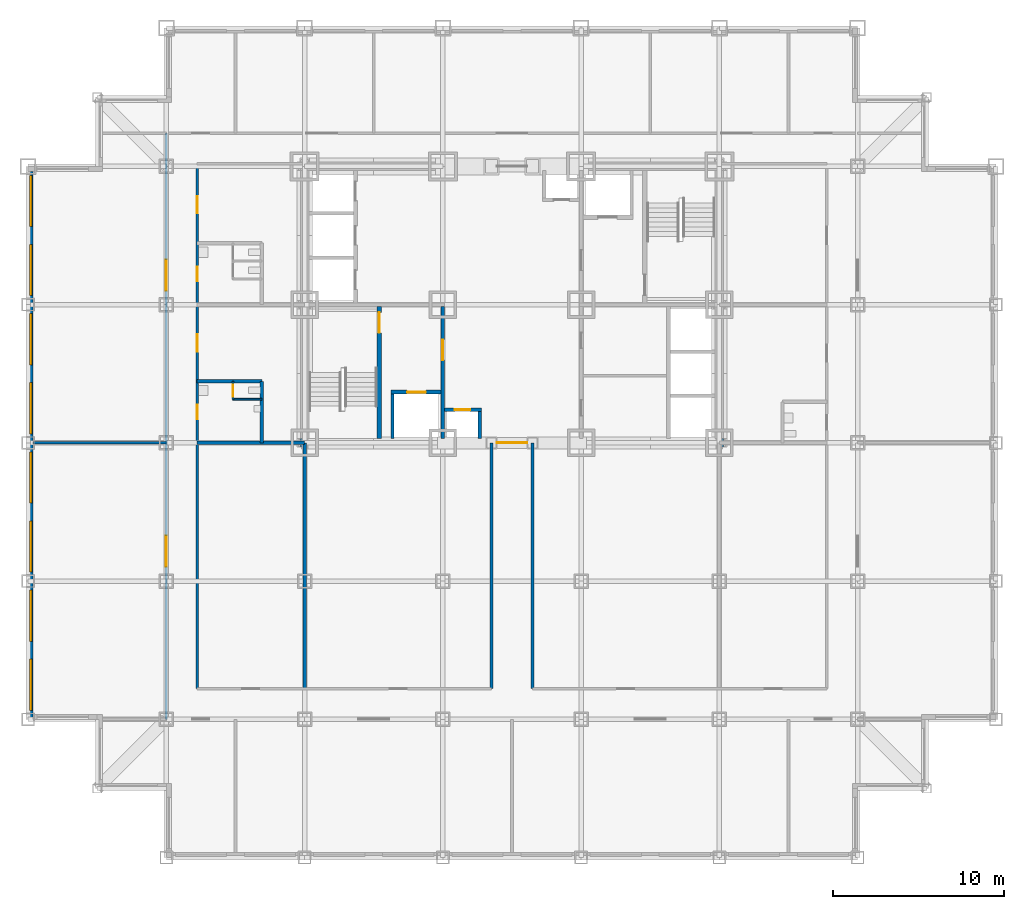
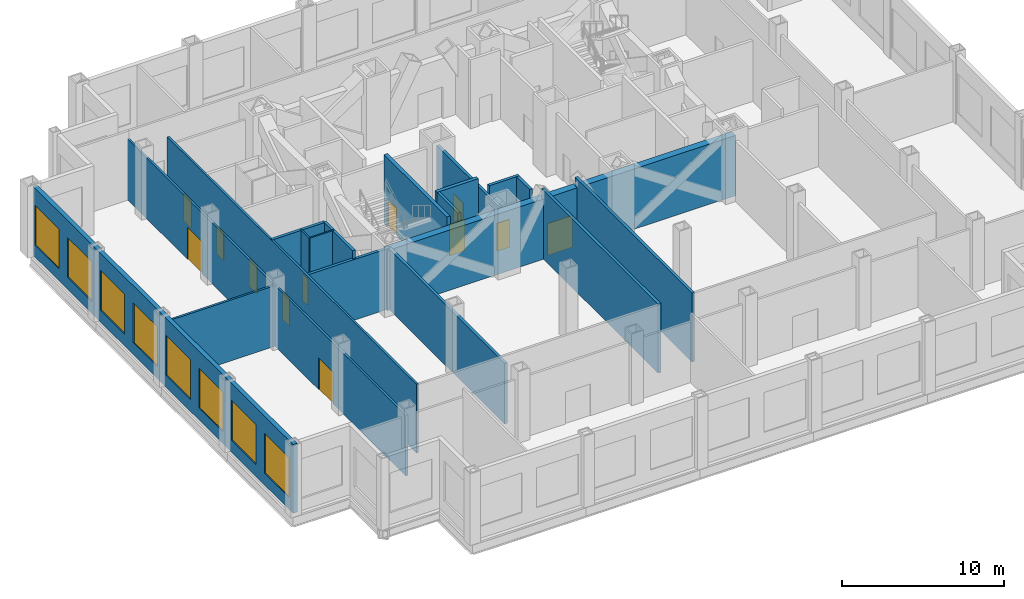
# One storey, part 4 of 10: 19 walls, 12 doors, 8 windows, 20 openings.
"""IFC4 building model written with IfcOpenShell, lengths in metres."""

from ifc_helpers import new_model, si_unit, direction, frame, frame_2d, origin, place, context, subcontext, project, spatial, rectangle, extrude, material, layer, layer_set, type_object, element, fill, save


model = new_model("IFC4")

# Units and contexts
model_context = context("Model", 3, precision=1e-05, world=origin(), true_north=direction((0.0, 1.0)))
body_context = subcontext(model_context, "Body", "Model", "MODEL_VIEW")
ifc_project = project(units=[si_unit("LENGTHUNIT", "METRE"), si_unit("AREAUNIT", "SQUARE_METRE"), si_unit("VOLUMEUNIT", "CUBIC_METRE"), si_unit("PLANEANGLEUNIT", "RADIAN"), si_unit("MASSUNIT", "GRAM", prefix="KILO")], contexts=[model_context])

# Site, building, storey
site_placement = place(None, origin())
site = spatial("IfcSite", under=ifc_project, at=site_placement, CompositionType="ELEMENT")
building_placement = place(site_placement, origin())
building = spatial("IfcBuilding", under=site, at=building_placement, Name="Kopane Lantern Tower", CompositionType="ELEMENT")
storey_placement = place(building_placement, frame((0.0, 0.0, 27.60009765625)))
storey = spatial("IfcBuildingStorey", under=building, at=storey_placement, Name="L05", CompositionType="ELEMENT", Elevation=27.60009765625)

# Wall, opening, door
ifc_material_1 = material(Name="Moisture-resistant board on steel studs", Category="steel")
ifc_layer_1 = layer(ifc_material_1, 0.10009765625)
ifc_layer_set_1 = layer_set([ifc_layer_1], Name="BATHROOM WALL 100")
wall_type_1 = type_object("IfcWallType", Name="BATHROOM WALL 100", PredefinedType="PARTITIONING", material=ifc_layer_set_1)
wall_1_placement = place(storey_placement, frame((12.0, 26.85009765625, 0.0), z_axis=(0.0, 0.0, 1.0), x_axis=(0.0, 1.0, 0.0)))
wall_1 = element("IfcWall", 1, at=wall_1_placement, inside=storey, type_object=wall_type_1, Name="Bathroom Wall 100 L05", PredefinedType="PARTITIONING", context=body_context, shape_type="SweptSolid", body=[
    extrude(rectangle(XDim=1.0498046875, YDim=0.10009765625, at=frame_2d((0.52490234375, 0.0))), origin(), (0.0, 0.0, 1.0), 5.18994140625),
])
opening_1_placement = place(wall_1_placement, frame((0.14990234375, 0.0, 0.0)))
opening_1 = element("IfcOpeningElement", 2, at=opening_1_placement, cuts=wall_1, Name="Opening L05-025", PredefinedType="OPENING", context=body_context, shape_type="SweptSolid", body=[
    extrude(rectangle(XDim=0.699951171875, YDim=2.0, at=frame_2d((0.35009765625, 1.0))), frame((0.0, 0.06005859375, 0.0), z_axis=(0.0, -1.0, 0.0), x_axis=(1.0, 0.0, 0.0)), (0.0, 0.0, 1.0), 0.1201171875),
])
ifc_material_2 = material(Name="Timber door set", Category="wood")
door_type_1 = type_object("IfcDoorType", Name="DOOR D13 700x2000 WC CUBICLE", OperationType="SINGLE_SWING_LEFT", PredefinedType="DOOR", material=ifc_material_2)
door_1_placement = place(opening_1_placement, origin())
door_1 = element("IfcDoor", 3, at=door_1_placement, inside=storey, type_object=door_type_1, Name="Door L05-025", OperationType="SINGLE_SWING_LEFT", OverallHeight=2.0, OverallWidth=0.699951171875, PredefinedType="DOOR", context=body_context, shape_type="SweptSolid", body=[
    extrude(rectangle(XDim=0.699951171875, YDim=2.0, at=frame_2d((0.35009765625, 1.0))), frame((0.0, 0.02490234375, 0.0), z_axis=(0.0, -1.0, 0.0), x_axis=(1.0, 0.0, 0.0)), (0.0, 0.0, 1.0), 0.050048828125),
])
fill(opening_1, door_1)

# Wall
wall_2_placement = place(storey_placement, frame((12.0, 26.85009765625, 0.0), z_axis=(0.0, 0.0, 1.0), x_axis=(1.0, 0.0, 0.0)))
element("IfcWall", 4, at=wall_2_placement, inside=storey, type_object=wall_type_1, Name="Bathroom Wall 100 L05", PredefinedType="PARTITIONING", context=body_context, shape_type="SweptSolid", body=[
    extrude(rectangle(XDim=1.699951171875, YDim=0.10009765625, at=frame_2d((0.85009765625, 0.0))), origin(), (0.0, 0.0, 1.0), 5.18994140625),
])

# Wall, opening, door
ifc_material_3 = material(Name="Gypsum shaft wall EI 120", Category="gypsum")
ifc_layer_2 = layer(ifc_material_3, 0.5)
ifc_layer_set_2 = layer_set([ifc_layer_2], Name="CORE PERIMETER WALL 500 EI 120")
wall_type_2 = type_object("IfcWallType", Name="CORE PERIMETER WALL 500 EI 120", PredefinedType="SOLIDWALL", material=ifc_layer_set_2)
wall_3_placement = place(storey_placement, frame((15.949951171875, 24.300048828125, 0.0), z_axis=(0.0, 0.0, 1.0), x_axis=(1.0, 0.0, 0.0)))
wall_3 = element("IfcWall", 5, at=wall_3_placement, inside=storey, type_object=wall_type_2, Name="Core shaft wall L05 PS", PredefinedType="SOLIDWALL", context=body_context, shape_type="SweptSolid", body=[
    extrude(rectangle(XDim=24.800048828125, YDim=0.5, at=frame_2d((12.39990234375, 0.0))), origin(), (0.0, 0.0, 1.0), 4.539794921875),
])
opening_2_placement = place(wall_3_placement, frame((11.5, 0.0, 0.0)))
opening_2 = element("IfcOpeningElement", 6, at=opening_2_placement, cuts=wall_3, Name="Opening 05.CE-S", PredefinedType="OPENING", context=body_context, shape_type="SweptSolid", body=[
    extrude(rectangle(XDim=1.800048828125, YDim=2.39990234375, at=frame_2d((0.89990234375, 1.199951171875))), frame((0.0, 0.260009765625, 0.0), z_axis=(0.0, -1.0, 0.0), x_axis=(1.0, 0.0, 0.0)), (0.0, 0.0, 1.0), 0.52001953125),
])
ifc_material_4 = material(Name="Steel door set", Category="steel")
door_type_2 = type_object("IfcDoorType", Name="CORE ENTRY DOOR 1800x2400 FD60S", OperationType="DOUBLE_DOOR_SINGLE_SWING", PredefinedType="DOOR", material=ifc_material_4)
door_2_placement = place(opening_2_placement, origin())
door_2 = element("IfcDoor", 7, at=door_2_placement, inside=storey, type_object=door_type_2, Name="Core entry door L05 south", OperationType="DOUBLE_DOOR_SINGLE_SWING", OverallHeight=2.39990234375, OverallWidth=1.800048828125, PredefinedType="DOOR", context=body_context, shape_type="SweptSolid", body=[
    extrude(rectangle(XDim=1.800048828125, YDim=2.39990234375, at=frame_2d((0.89990234375, 1.199951171875))), frame((0.0, 0.02490234375, 0.0), z_axis=(0.0, -1.0, 0.0), x_axis=(1.0, 0.0, 0.0)), (0.0, 0.0, 1.0), 0.050048828125),
])
fill(opening_2, door_2)

ifc_material_5 = material(Name="Gypsum shaft wall EI 120", Category="gypsum")
ifc_layer_3 = layer(ifc_material_5, 0.25)
ifc_layer_set_3 = layer_set([ifc_layer_3], Name="CORE SHAFT WALL 250 EI 120")
wall_type_3 = type_object("IfcWallType", Name="CORE SHAFT WALL 250 EI 120", PredefinedType="SOLIDWALL", material=ifc_layer_set_3)
wall_4_placement = place(storey_placement, frame((20.574951171875, 24.550048828125, 0.0), z_axis=(0.0, 0.0, 1.0), x_axis=(0.0, 1.0, 0.0)))
wall_4 = element("IfcWall", 8, at=wall_4_placement, inside=storey, type_object=wall_type_3, Name="Core shaft wall L05 XST1", PredefinedType="SOLIDWALL", context=body_context, shape_type="SweptSolid", body=[
    extrude(rectangle(XDim=7.75, YDim=0.25, at=frame_2d((3.875, 0.0))), origin(), (0.0, 0.0, 1.0), 5.18994140625),
])
opening_3_placement = place(wall_4_placement, frame((6.199951171875, 0.0, 0.0)))
opening_3 = element("IfcOpeningElement", 9, at=opening_3_placement, cuts=wall_4, Name="Opening 05.SD1", PredefinedType="OPENING", context=body_context, shape_type="SweptSolid", body=[
    extrude(rectangle(XDim=1.199951171875, YDim=2.10009765625, at=frame_2d((0.60009765625, 1.050048828125))), frame((0.0, 0.135009765625, 0.0), z_axis=(0.0, -1.0, 0.0), x_axis=(1.0, 0.0, 0.0)), (0.0, 0.0, 1.0), 0.27001953125),
])
ifc_material_6 = material(Name="Steel door set", Category="steel")
door_type_3 = type_object("IfcDoorType", Name="STAIR DOOR 1200x2100 FD60S", OperationType="SINGLE_SWING_LEFT", PredefinedType="DOOR", material=ifc_material_6)
door_3_placement = place(opening_3_placement, origin())
door_3 = element("IfcDoor", 10, at=door_3_placement, inside=storey, type_object=door_type_3, Name="Stair door ST1 L05", OperationType="SINGLE_SWING_LEFT", OverallHeight=2.10009765625, OverallWidth=1.199951171875, PredefinedType="DOOR", context=body_context, shape_type="SweptSolid", body=[
    extrude(rectangle(XDim=1.199951171875, YDim=2.10009765625, at=frame_2d((0.60009765625, 1.050048828125))), frame((0.0, 0.02490234375, 0.0), z_axis=(0.0, -1.0, 0.0), x_axis=(1.0, 0.0, 0.0)), (0.0, 0.0, 1.0), 0.050048828125),
])
fill(opening_3, door_3)

wall_5_placement = place(storey_placement, frame((21.25, 27.27490234375, 0.0), z_axis=(0.0, 0.0, 1.0), x_axis=(1.0, 0.0, 0.0)))
wall_5 = element("IfcWall", 11, at=wall_5_placement, inside=storey, type_object=wall_type_3, Name="Core shaft wall L05 YLF1", PredefinedType="SOLIDWALL", context=body_context, shape_type="SweptSolid", body=[
    extrude(rectangle(XDim=2.949951171875, YDim=0.25, at=frame_2d((1.47509765625, 0.0))), origin(), (0.0, 0.0, 1.0), 5.18994140625),
])
opening_4_placement = place(wall_5_placement, frame((0.949951171875, 0.0, 0.0)))
opening_4 = element("IfcOpeningElement", 12, at=opening_4_placement, cuts=wall_5, Name="Opening 05.LD-LF1", PredefinedType="OPENING", context=body_context, shape_type="SweptSolid", body=[
    extrude(rectangle(XDim=1.10009765625, YDim=2.39990234375, at=frame_2d((0.550048828125, 1.199951171875))), frame((0.0, 0.135009765625, 0.0), z_axis=(0.0, -1.0, 0.0), x_axis=(1.0, 0.0, 0.0)), (0.0, 0.0, 1.0), 0.27001953125),
])
ifc_material_7 = material(Name="Steel door set", Category="steel")
door_type_4 = type_object("IfcDoorType", Name="LIFT LANDING DOOR 1100x2400 FD60", OperationType="DOUBLE_DOOR_SLIDING", PredefinedType="DOOR", material=ifc_material_7)
door_4_placement = place(opening_4_placement, origin())
door_4 = element("IfcDoor", 13, at=door_4_placement, inside=storey, type_object=door_type_4, Name="Landing door LF1 L05", OperationType="DOUBLE_DOOR_SLIDING", OverallHeight=2.39990234375, OverallWidth=1.10009765625, PredefinedType="DOOR", context=body_context, shape_type="SweptSolid", body=[
    extrude(rectangle(XDim=1.10009765625, YDim=2.39990234375, at=frame_2d((0.550048828125, 1.199951171875))), frame((0.0, 0.02490234375, 0.0), z_axis=(0.0, -1.0, 0.0), x_axis=(1.0, 0.0, 0.0)), (0.0, 0.0, 1.0), 0.050048828125),
])
fill(opening_4, door_4)

# Wall, openings, doors
ifc_material_8 = material(Name="Gypsum board on steel studs", Category="steel")
ifc_layer_4 = layer(ifc_material_8, 0.14990234375)
ifc_layer_set_4 = layer_set([ifc_layer_4], Name="CORRIDOR WALL 150 EI 60")
wall_type_4 = type_object("IfcWallType", Name="CORRIDOR WALL 150 EI 60", PredefinedType="PARTITIONING", material=ifc_layer_set_4)
wall_6_placement = place(storey_placement, frame((8.10009765625, 8.10009765625, 0.0), z_axis=(0.0, 0.0, 1.0), x_axis=(0.0, 1.0, 0.0)))
wall_6 = element("IfcWall", 14, at=wall_6_placement, inside=storey, type_object=wall_type_4, Name="Corridor Wall 150 Ei 60 L05", PredefinedType="PARTITIONING", context=body_context, shape_type="SweptSolid", body=[
    extrude(rectangle(XDim=34.349853515625, YDim=0.14990234375, at=frame_2d((17.1748046875, 0.0))), origin(), (0.0, 0.0, 1.0), 4.57763671875),
])
opening_5_placement = place(wall_6_placement, frame((8.949951171875, 0.0, 0.0)))
opening_5 = element("IfcOpeningElement", 15, at=opening_5_placement, cuts=wall_6, Name="Opening L05-017", PredefinedType="OPENING", context=body_context, shape_type="SweptSolid", body=[
    extrude(rectangle(XDim=1.800048828125, YDim=2.39990234375, at=frame_2d((0.89990234375, 1.199951171875))), frame((0.0, 0.0849609375, 0.0), z_axis=(0.0, -1.0, 0.0), x_axis=(1.0, 0.0, 0.0)), (0.0, 0.0, 1.0), 0.169921875),
])
opening_6_placement = place(wall_6_placement, frame((25.125, 0.0, 0.0)))
opening_6 = element("IfcOpeningElement", 16, at=opening_6_placement, cuts=wall_6, Name="Opening L05-018", PredefinedType="OPENING", context=body_context, shape_type="SweptSolid", body=[
    extrude(rectangle(XDim=1.800048828125, YDim=2.39990234375, at=frame_2d((0.89990234375, 1.199951171875))), frame((0.0, 0.0849609375, 0.0), z_axis=(0.0, -1.0, 0.0), x_axis=(1.0, 0.0, 0.0)), (0.0, 0.0, 1.0), 0.169921875),
])
ifc_material_9 = material(Name="Steel door set", Category="steel")
door_type_5 = type_object("IfcDoorType", Name="DOOR D8 1800x2400 FD120", OperationType="SINGLE_SWING_LEFT", PredefinedType="DOOR", material=ifc_material_9)
door_5_placement = place(opening_5_placement, origin())
door_5 = element("IfcDoor", 17, at=door_5_placement, inside=storey, type_object=door_type_5, Name="Door L05-017", OperationType="DOUBLE_DOOR_SINGLE_SWING", OverallHeight=2.39990234375, OverallWidth=1.800048828125, PredefinedType="DOOR", context=body_context, shape_type="SweptSolid", body=[
    extrude(rectangle(XDim=1.800048828125, YDim=2.39990234375, at=frame_2d((0.89990234375, 1.199951171875))), frame((0.0, 0.02490234375, 0.0), z_axis=(0.0, -1.0, 0.0), x_axis=(1.0, 0.0, 0.0)), (0.0, 0.0, 1.0), 0.050048828125),
])
fill(opening_5, door_5)
door_6_placement = place(opening_6_placement, origin())
door_6 = element("IfcDoor", 18, at=door_6_placement, inside=storey, type_object=door_type_5, Name="Door L05-018", OperationType="DOUBLE_DOOR_SINGLE_SWING", OverallHeight=2.39990234375, OverallWidth=1.800048828125, PredefinedType="DOOR", context=body_context, shape_type="SweptSolid", body=[
    extrude(rectangle(XDim=1.800048828125, YDim=2.39990234375, at=frame_2d((0.89990234375, 1.199951171875))), frame((0.0, 0.02490234375, 0.0), z_axis=(0.0, -1.0, 0.0), x_axis=(1.0, 0.0, 0.0)), (0.0, 0.0, 1.0), 0.050048828125),
])
fill(opening_6, door_6)

wall_7_placement = place(storey_placement, frame((9.89990234375, 40.64990234375, 0.0), z_axis=(0.0, 0.0, 1.0), x_axis=(0.0, -1.0, 0.0)))
wall_7 = element("IfcWall", 19, at=wall_7_placement, inside=storey, type_object=wall_type_4, Name="Corridor Wall 150 Ei 60 L05", PredefinedType="PARTITIONING", context=body_context, shape_type="SweptSolid", body=[
    extrude(rectangle(XDim=30.75, YDim=0.14990234375, at=frame_2d((15.375, 0.0))), origin(), (0.0, 0.0, 1.0), 5.18994140625),
])
opening_7_placement = place(wall_7_placement, frame((14.125, 0.0, 0.0)))
opening_7 = element("IfcOpeningElement", 20, at=opening_7_placement, cuts=wall_7, Name="Opening L05-001", PredefinedType="OPENING", context=body_context, shape_type="SweptSolid", body=[
    extrude(rectangle(XDim=0.85009765625, YDim=2.10009765625, at=frame_2d((0.425048828125, 1.050048828125))), frame((0.0, 0.0849609375, 0.0), z_axis=(0.0, -1.0, 0.0), x_axis=(1.0, 0.0, 0.0)), (0.0, 0.0, 1.0), 0.169921875),
])
opening_8_placement = place(wall_7_placement, frame((10.0, 0.0, 0.0)))
opening_8 = element("IfcOpeningElement", 21, at=opening_8_placement, cuts=wall_7, Name="Opening L05-002", PredefinedType="OPENING", context=body_context, shape_type="SweptSolid", body=[
    extrude(rectangle(XDim=1.0, YDim=2.10009765625, at=frame_2d((0.5, 1.050048828125))), frame((0.0, 0.0849609375, 0.0), z_axis=(0.0, -1.0, 0.0), x_axis=(1.0, 0.0, 0.0)), (0.0, 0.0, 1.0), 0.169921875),
])
opening_9_placement = place(wall_7_placement, frame((6.02490234375, 0.0, 0.0)))
opening_9 = element("IfcOpeningElement", 22, at=opening_9_placement, cuts=wall_7, Name="Opening L05-003", PredefinedType="OPENING", context=body_context, shape_type="SweptSolid", body=[
    extrude(rectangle(XDim=0.85009765625, YDim=2.10009765625, at=frame_2d((0.425048828125, 1.050048828125))), frame((0.0, 0.0849609375, 0.0), z_axis=(0.0, -1.0, 0.0), x_axis=(1.0, 0.0, 0.0)), (0.0, 0.0, 1.0), 0.169921875),
])
opening_10_placement = place(wall_7_placement, frame((1.89990234375, 0.0, 0.0)))
opening_10 = element("IfcOpeningElement", 23, at=opening_10_placement, cuts=wall_7, Name="Opening L05-004", PredefinedType="OPENING", context=body_context, shape_type="SweptSolid", body=[
    extrude(rectangle(XDim=1.0, YDim=2.10009765625, at=frame_2d((0.5, 1.050048828125))), frame((0.0, 0.0849609375, 0.0), z_axis=(0.0, -1.0, 0.0), x_axis=(1.0, 0.0, 0.0)), (0.0, 0.0, 1.0), 0.169921875),
])
ifc_material_10 = material(Name="Timber door set", Category="wood")
door_type_6 = type_object("IfcDoorType", Name="DOOR D4 850x2100", OperationType="SINGLE_SWING_LEFT", PredefinedType="DOOR", material=ifc_material_10)
door_7_placement = place(opening_7_placement, origin())
door_7 = element("IfcDoor", 24, at=door_7_placement, inside=storey, type_object=door_type_6, Name="Door L05-001", OperationType="SINGLE_SWING_RIGHT", OverallHeight=2.10009765625, OverallWidth=0.85009765625, PredefinedType="DOOR", context=body_context, shape_type="SweptSolid", body=[
    extrude(rectangle(XDim=0.85009765625, YDim=2.10009765625, at=frame_2d((0.425048828125, 1.050048828125))), frame((0.0, 0.02490234375, 0.0), z_axis=(0.0, -1.0, 0.0), x_axis=(1.0, 0.0, 0.0)), (0.0, 0.0, 1.0), 0.050048828125),
])
fill(opening_7, door_7)
door_8_placement = place(opening_9_placement, origin())
door_8 = element("IfcDoor", 25, at=door_8_placement, inside=storey, type_object=door_type_6, Name="Door L05-003", OperationType="SINGLE_SWING_RIGHT", OverallHeight=2.10009765625, OverallWidth=0.85009765625, PredefinedType="DOOR", context=body_context, shape_type="SweptSolid", body=[
    extrude(rectangle(XDim=0.85009765625, YDim=2.10009765625, at=frame_2d((0.425048828125, 1.050048828125))), frame((0.0, 0.02490234375, 0.0), z_axis=(0.0, -1.0, 0.0), x_axis=(1.0, 0.0, 0.0)), (0.0, 0.0, 1.0), 0.050048828125),
])
fill(opening_9, door_8)
ifc_material_11 = material(Name="Steel door set", Category="steel")
door_type_7 = type_object("IfcDoorType", Name="DOOR D5 1000x2100 FD60", OperationType="SINGLE_SWING_LEFT", PredefinedType="DOOR", material=ifc_material_11)
door_9_placement = place(opening_8_placement, origin())
door_9 = element("IfcDoor", 26, at=door_9_placement, inside=storey, type_object=door_type_7, Name="Door L05-002", OperationType="SINGLE_SWING_LEFT", OverallHeight=2.10009765625, OverallWidth=1.0, PredefinedType="DOOR", context=body_context, shape_type="SweptSolid", body=[
    extrude(rectangle(XDim=1.0, YDim=2.10009765625, at=frame_2d((0.5, 1.050048828125))), frame((0.0, 0.02490234375, 0.0), z_axis=(0.0, -1.0, 0.0), x_axis=(1.0, 0.0, 0.0)), (0.0, 0.0, 1.0), 0.050048828125),
])
fill(opening_8, door_9)
door_10_placement = place(opening_10_placement, origin())
door_10 = element("IfcDoor", 27, at=door_10_placement, inside=storey, type_object=door_type_7, Name="Door L05-004", OperationType="SINGLE_SWING_RIGHT", OverallHeight=2.10009765625, OverallWidth=1.0, PredefinedType="DOOR", context=body_context, shape_type="SweptSolid", body=[
    extrude(rectangle(XDim=1.0, YDim=2.10009765625, at=frame_2d((0.5, 1.050048828125))), frame((0.0, 0.02490234375, 0.0), z_axis=(0.0, -1.0, 0.0), x_axis=(1.0, 0.0, 0.0)), (0.0, 0.0, 1.0), 0.050048828125),
])
fill(opening_10, door_10)

# Wall
ifc_material_12 = material(Name="Gypsum board on steel studs", Category="steel")
ifc_layer_5 = layer(ifc_material_12, 0.14990234375)
ifc_layer_set_5 = layer_set([ifc_layer_5], Name="DEMISING WALL 150 EI 60")
wall_type_5 = type_object("IfcWallType", Name="DEMISING WALL 150 EI 60", PredefinedType="PARTITIONING", material=ifc_layer_set_5)
wall_8_placement = place(storey_placement, frame((8.10009765625, 24.300048828125, 0.0), z_axis=(0.0, 0.0, 1.0), x_axis=(-1.0, 0.0, 0.0)))
element("IfcWall", 28, at=wall_8_placement, inside=storey, type_object=wall_type_5, Name="Demising Wall 150 Ei 60 L05", PredefinedType="PARTITIONING", context=body_context, shape_type="SweptSolid", body=[
    extrude(rectangle(XDim=7.800048828125, YDim=0.14990234375, at=frame_2d((3.89990234375, 0.0))), origin(), (0.0, 0.0, 1.0), 4.57763671875),
])

# Wall, openings, windows
ifc_material_13 = material(Name="Terracotta rainscreen on light steel framing", Category="masonry")
ifc_layer_6 = layer(ifc_material_13, 0.300048828125)
ifc_layer_set_6 = layer_set([ifc_layer_6], Name="EXTERNAL WALL EW1 300 TERRACOTTA")
wall_type_6 = type_object("IfcWallType", Name="EXTERNAL WALL EW1 300 TERRACOTTA", PredefinedType="SOLIDWALL", material=ifc_layer_set_6)
wall_9_placement = place(storey_placement, frame((0.14990234375, 40.199951171875, 0.0), z_axis=(0.0, 0.0, 1.0), x_axis=(0.0, -1.0, 0.0)))
wall_9 = element("IfcWall", 29, at=wall_9_placement, inside=storey, type_object=wall_type_6, Name="External wall W L05", PredefinedType="SOLIDWALL", context=body_context, shape_type="SweptSolid", body=[
    extrude(rectangle(XDim=32.099853515625, YDim=0.300048828125, at=frame_2d((16.0498046875, 0.0))), origin(), (0.0, 0.0, 1.0), 5.18994140625),
])
opening_11_placement = place(wall_9_placement, frame((0.22509765625, 0.0, 0.89990234375)))
opening_11 = element("IfcOpeningElement", 30, at=opening_11_placement, cuts=wall_9, Name="Opening LV300300", PredefinedType="OPENING", context=body_context, shape_type="SweptSolid", body=[
    extrude(rectangle(XDim=3.0, YDim=3.0, at=frame_2d((1.5, 1.5))), frame((0.0, 0.159912109375, 0.0), z_axis=(0.0, -1.0, 0.0), x_axis=(1.0, 0.0, 0.0)), (0.0, 0.0, 1.0), 0.320068359375),
])
opening_12_placement = place(wall_9_placement, frame((4.27490234375, 0.0, 0.89990234375)))
opening_12 = element("IfcOpeningElement", 31, at=opening_12_placement, cuts=wall_9, Name="Opening LV300300", PredefinedType="OPENING", context=body_context, shape_type="SweptSolid", body=[
    extrude(rectangle(XDim=3.0, YDim=3.0, at=frame_2d((1.5, 1.5))), frame((0.0, 0.159912109375, 0.0), z_axis=(0.0, -1.0, 0.0), x_axis=(1.0, 0.0, 0.0)), (0.0, 0.0, 1.0), 0.320068359375),
])
opening_13_placement = place(wall_9_placement, frame((8.324951171875, 0.0, 0.89990234375)))
opening_13 = element("IfcOpeningElement", 32, at=opening_13_placement, cuts=wall_9, Name="Opening LV300300", PredefinedType="OPENING", context=body_context, shape_type="SweptSolid", body=[
    extrude(rectangle(XDim=3.0, YDim=3.0, at=frame_2d((1.5, 1.5))), frame((0.0, 0.159912109375, 0.0), z_axis=(0.0, -1.0, 0.0), x_axis=(1.0, 0.0, 0.0)), (0.0, 0.0, 1.0), 0.320068359375),
])
opening_14_placement = place(wall_9_placement, frame((12.375, 0.0, 0.89990234375)))
opening_14 = element("IfcOpeningElement", 33, at=opening_14_placement, cuts=wall_9, Name="Opening LV300300", PredefinedType="OPENING", context=body_context, shape_type="SweptSolid", body=[
    extrude(rectangle(XDim=3.0, YDim=3.0, at=frame_2d((1.5, 1.5))), frame((0.0, 0.159912109375, 0.0), z_axis=(0.0, -1.0, 0.0), x_axis=(1.0, 0.0, 0.0)), (0.0, 0.0, 1.0), 0.320068359375),
])
opening_15_placement = place(wall_9_placement, frame((16.425048828125, 0.0, 0.89990234375)))
opening_15 = element("IfcOpeningElement", 34, at=opening_15_placement, cuts=wall_9, Name="Opening LV300300", PredefinedType="OPENING", context=body_context, shape_type="SweptSolid", body=[
    extrude(rectangle(XDim=3.0, YDim=3.0, at=frame_2d((1.5, 1.5))), frame((0.0, 0.159912109375, 0.0), z_axis=(0.0, -1.0, 0.0), x_axis=(1.0, 0.0, 0.0)), (0.0, 0.0, 1.0), 0.320068359375),
])
opening_16_placement = place(wall_9_placement, frame((20.47509765625, 0.0, 0.89990234375)))
opening_16 = element("IfcOpeningElement", 35, at=opening_16_placement, cuts=wall_9, Name="Opening LV300300", PredefinedType="OPENING", context=body_context, shape_type="SweptSolid", body=[
    extrude(rectangle(XDim=3.0, YDim=3.0, at=frame_2d((1.5, 1.5))), frame((0.0, 0.159912109375, 0.0), z_axis=(0.0, -1.0, 0.0), x_axis=(1.0, 0.0, 0.0)), (0.0, 0.0, 1.0), 0.320068359375),
])
opening_17_placement = place(wall_9_placement, frame((24.52490234375, 0.0, 0.89990234375)))
opening_17 = element("IfcOpeningElement", 36, at=opening_17_placement, cuts=wall_9, Name="Opening LV300300", PredefinedType="OPENING", context=body_context, shape_type="SweptSolid", body=[
    extrude(rectangle(XDim=3.0, YDim=3.0, at=frame_2d((1.5, 1.5))), frame((0.0, 0.159912109375, 0.0), z_axis=(0.0, -1.0, 0.0), x_axis=(1.0, 0.0, 0.0)), (0.0, 0.0, 1.0), 0.320068359375),
])
opening_18_placement = place(wall_9_placement, frame((28.574951171875, 0.0, 0.89990234375)))
opening_18 = element("IfcOpeningElement", 37, at=opening_18_placement, cuts=wall_9, Name="Opening LV300300", PredefinedType="OPENING", context=body_context, shape_type="SweptSolid", body=[
    extrude(rectangle(XDim=3.0, YDim=3.0, at=frame_2d((1.5, 1.5))), frame((0.0, 0.159912109375, 0.0), z_axis=(0.0, -1.0, 0.0), x_axis=(1.0, 0.0, 0.0)), (0.0, 0.0, 1.0), 0.320068359375),
])
ifc_material_14 = material(Name="Aluminium louvre blades", Category="aluminium")
window_type = type_object("IfcWindowType", Name="PLANT LOUVRE LV300300 3000x3000x150", PartitioningType="SINGLE_PANEL", PredefinedType="USERDEFINED", material=ifc_material_14)
window_1_placement = place(opening_11_placement, origin())
window_1 = element("IfcWindow", 38, at=window_1_placement, inside=storey, type_object=window_type, Name="Louvre W L05", ObjectType="LOUVRE", OverallHeight=3.0, OverallWidth=3.0, PartitioningType="SINGLE_PANEL", PredefinedType="USERDEFINED", context=body_context, shape_type="SweptSolid", body=[
    extrude(rectangle(XDim=3.0, YDim=3.0, at=frame_2d((1.5, 1.5))), frame((0.0, 0.074951171875, 0.0), z_axis=(0.0, -1.0, 0.0), x_axis=(1.0, 0.0, 0.0)), (0.0, 0.0, 1.0), 0.14990234375),
])
fill(opening_11, window_1)
window_2_placement = place(opening_12_placement, origin())
window_2 = element("IfcWindow", 39, at=window_2_placement, inside=storey, type_object=window_type, Name="Louvre W L05", ObjectType="LOUVRE", OverallHeight=3.0, OverallWidth=3.0, PartitioningType="SINGLE_PANEL", PredefinedType="USERDEFINED", context=body_context, shape_type="SweptSolid", body=[
    extrude(rectangle(XDim=3.0, YDim=3.0, at=frame_2d((1.5, 1.5))), frame((0.0, 0.074951171875, 0.0), z_axis=(0.0, -1.0, 0.0), x_axis=(1.0, 0.0, 0.0)), (0.0, 0.0, 1.0), 0.14990234375),
])
fill(opening_12, window_2)
window_3_placement = place(opening_13_placement, origin())
window_3 = element("IfcWindow", 40, at=window_3_placement, inside=storey, type_object=window_type, Name="Louvre W L05", ObjectType="LOUVRE", OverallHeight=3.0, OverallWidth=3.0, PartitioningType="SINGLE_PANEL", PredefinedType="USERDEFINED", context=body_context, shape_type="SweptSolid", body=[
    extrude(rectangle(XDim=3.0, YDim=3.0, at=frame_2d((1.5, 1.5))), frame((0.0, 0.074951171875, 0.0), z_axis=(0.0, -1.0, 0.0), x_axis=(1.0, 0.0, 0.0)), (0.0, 0.0, 1.0), 0.14990234375),
])
fill(opening_13, window_3)
window_4_placement = place(opening_14_placement, origin())
window_4 = element("IfcWindow", 41, at=window_4_placement, inside=storey, type_object=window_type, Name="Louvre W L05", ObjectType="LOUVRE", OverallHeight=3.0, OverallWidth=3.0, PartitioningType="SINGLE_PANEL", PredefinedType="USERDEFINED", context=body_context, shape_type="SweptSolid", body=[
    extrude(rectangle(XDim=3.0, YDim=3.0, at=frame_2d((1.5, 1.5))), frame((0.0, 0.074951171875, 0.0), z_axis=(0.0, -1.0, 0.0), x_axis=(1.0, 0.0, 0.0)), (0.0, 0.0, 1.0), 0.14990234375),
])
fill(opening_14, window_4)
window_5_placement = place(opening_15_placement, origin())
window_5 = element("IfcWindow", 42, at=window_5_placement, inside=storey, type_object=window_type, Name="Louvre W L05", ObjectType="LOUVRE", OverallHeight=3.0, OverallWidth=3.0, PartitioningType="SINGLE_PANEL", PredefinedType="USERDEFINED", context=body_context, shape_type="SweptSolid", body=[
    extrude(rectangle(XDim=3.0, YDim=3.0, at=frame_2d((1.5, 1.5))), frame((0.0, 0.074951171875, 0.0), z_axis=(0.0, -1.0, 0.0), x_axis=(1.0, 0.0, 0.0)), (0.0, 0.0, 1.0), 0.14990234375),
])
fill(opening_15, window_5)
window_6_placement = place(opening_16_placement, origin())
window_6 = element("IfcWindow", 43, at=window_6_placement, inside=storey, type_object=window_type, Name="Louvre W L05", ObjectType="LOUVRE", OverallHeight=3.0, OverallWidth=3.0, PartitioningType="SINGLE_PANEL", PredefinedType="USERDEFINED", context=body_context, shape_type="SweptSolid", body=[
    extrude(rectangle(XDim=3.0, YDim=3.0, at=frame_2d((1.5, 1.5))), frame((0.0, 0.074951171875, 0.0), z_axis=(0.0, -1.0, 0.0), x_axis=(1.0, 0.0, 0.0)), (0.0, 0.0, 1.0), 0.14990234375),
])
fill(opening_16, window_6)
window_7_placement = place(opening_17_placement, origin())
window_7 = element("IfcWindow", 44, at=window_7_placement, inside=storey, type_object=window_type, Name="Louvre W L05", ObjectType="LOUVRE", OverallHeight=3.0, OverallWidth=3.0, PartitioningType="SINGLE_PANEL", PredefinedType="USERDEFINED", context=body_context, shape_type="SweptSolid", body=[
    extrude(rectangle(XDim=3.0, YDim=3.0, at=frame_2d((1.5, 1.5))), frame((0.0, 0.074951171875, 0.0), z_axis=(0.0, -1.0, 0.0), x_axis=(1.0, 0.0, 0.0)), (0.0, 0.0, 1.0), 0.14990234375),
])
fill(opening_17, window_7)
window_8_placement = place(opening_18_placement, origin())
window_8 = element("IfcWindow", 45, at=window_8_placement, inside=storey, type_object=window_type, Name="Louvre W L05", ObjectType="LOUVRE", OverallHeight=3.0, OverallWidth=3.0, PartitioningType="SINGLE_PANEL", PredefinedType="USERDEFINED", context=body_context, shape_type="SweptSolid", body=[
    extrude(rectangle(XDim=3.0, YDim=3.0, at=frame_2d((1.5, 1.5))), frame((0.0, 0.074951171875, 0.0), z_axis=(0.0, -1.0, 0.0), x_axis=(1.0, 0.0, 0.0)), (0.0, 0.0, 1.0), 0.14990234375),
])
fill(opening_18, window_8)

# Walls
ifc_material_15 = material(Name="Concrete masonry", Category="masonry")
ifc_layer_7 = layer(ifc_material_15, 0.199951171875)
ifc_layer_set_7 = layer_set([ifc_layer_7], Name="PLANT ROOM WALL 200 EI 120")
wall_type_7 = type_object("IfcWallType", Name="PLANT ROOM WALL 200 EI 120", PredefinedType="SOLIDWALL", material=ifc_layer_set_7)
wall_10_placement = place(storey_placement, frame((9.89990234375, 27.89990234375, 0.0), z_axis=(0.0, 0.0, 1.0), x_axis=(1.0, 0.0, 0.0)))
element("IfcWall", 46, at=wall_10_placement, inside=storey, type_object=wall_type_7, Name="Plant Room Wall 200 Ei 120 L05", PredefinedType="SOLIDWALL", context=body_context, shape_type="SweptSolid", body=[
    extrude(rectangle(XDim=3.800048828125, YDim=0.199951171875, at=frame_2d((1.89990234375, 0.0))), origin(), (0.0, 0.0, 1.0), 5.18994140625),
])
wall_11_placement = place(storey_placement, frame((13.699951171875, 24.300048828125, 0.0), z_axis=(0.0, 0.0, 1.0), x_axis=(0.0, 1.0, 0.0)))
element("IfcWall", 47, at=wall_11_placement, inside=storey, type_object=wall_type_7, Name="Plant Room Wall 200 Ei 120 L05", PredefinedType="SOLIDWALL", context=body_context, shape_type="SweptSolid", body=[
    extrude(rectangle(XDim=3.599853515625, YDim=0.199951171875, at=frame_2d((1.7998046875, 0.0))), origin(), (0.0, 0.0, 1.0), 5.18994140625),
])
wall_12_placement = place(storey_placement, frame((16.199951171875, 9.89990234375, 0.0), z_axis=(0.0, 0.0, 1.0), x_axis=(0.0, 1.0, 0.0)))
element("IfcWall", 48, at=wall_12_placement, inside=storey, type_object=wall_type_7, Name="Plant Room Wall 200 Ei 120 L05", PredefinedType="SOLIDWALL", context=body_context, shape_type="SweptSolid", body=[
    extrude(rectangle(XDim=14.400146484375, YDim=0.199951171875, at=frame_2d((7.2001953125, 0.0))), origin(), (0.0, 0.0, 1.0), 4.57763671875),
])
for number, where, z_axis, x_axis, name in (
    (49, (27.14990234375, 9.89990234375, 0.0), (0.0, 0.0, 1.0), (0.0, 1.0, 0.0), "Plant Room Wall 200 Ei 120 L05"),
    (50, (29.550048828125, 9.89990234375, 0.0), (0.0, 0.0, 1.0), (0.0, 1.0, 0.0), "Plant Room Wall 200 Ei 120 L05"),
):
    element("IfcWall", number, at=place(storey_placement, frame(where, z_axis=z_axis, x_axis=x_axis)), inside=storey, type_object=wall_type_7, Name=name, PredefinedType="SOLIDWALL", context=body_context, shape_type="SweptSolid", body=[
        extrude(rectangle(XDim=14.400146484375, YDim=0.199951171875, at=frame_2d((7.2001953125, 0.0))), origin(), (0.0, 0.0, 1.0), 5.18994140625),
    ])
wall_13_placement = place(storey_placement, frame((9.89990234375, 24.300048828125, 0.0), z_axis=(0.0, 0.0, 1.0), x_axis=(1.0, 0.0, 0.0)))
element("IfcWall", 51, at=wall_13_placement, inside=storey, type_object=wall_type_7, Name="Plant Room Wall 200 Ei 120 L05", PredefinedType="SOLIDWALL", context=body_context, shape_type="SweptSolid", body=[
    extrude(rectangle(XDim=6.300048828125, YDim=0.199951171875, at=frame_2d((3.14990234375, 0.0))), origin(), (0.0, 0.0, 1.0), 4.57763671875),
])

# Wall, opening, door
ifc_material_16 = material(Name="Gypsum shaft wall EI 120", Category="gypsum")
ifc_layer_8 = layer(ifc_material_16, 0.199951171875)
ifc_layer_set_8 = layer_set([ifc_layer_8], Name="SHAFT WALL 200 EI 120")
wall_type_8 = type_object("IfcWallType", Name="SHAFT WALL 200 EI 120", PredefinedType="SOLIDWALL", material=ifc_layer_set_8)
wall_14_placement = place(storey_placement, frame((24.300048828125, 24.550048828125, 0.0), z_axis=(0.0, 0.0, 1.0), x_axis=(0.0, 1.0, 0.0)))
wall_14 = element("IfcWall", 52, at=wall_14_placement, inside=storey, type_object=wall_type_8, Name="Core shaft wall L05 X243", PredefinedType="SOLIDWALL", context=body_context, shape_type="SweptSolid", body=[
    extrude(rectangle(XDim=7.75, YDim=0.199951171875, at=frame_2d((3.875, 0.0))), origin(), (0.0, 0.0, 1.0), 4.57763671875),
])
opening_19_placement = place(wall_14_placement, frame((4.60009765625, 0.0, 0.0)))
opening_19 = element("IfcOpeningElement", 53, at=opening_19_placement, cuts=wall_14, Name="Opening 05.FL1", PredefinedType="OPENING", context=body_context, shape_type="SweptSolid", body=[
    extrude(rectangle(XDim=1.199951171875, YDim=2.10009765625, at=frame_2d((0.60009765625, 1.050048828125))), frame((0.0, 0.10986328125, 0.0), z_axis=(0.0, -1.0, 0.0), x_axis=(1.0, 0.0, 0.0)), (0.0, 0.0, 1.0), 0.219970703125),
])
ifc_material_17 = material(Name="Steel door set", Category="steel")
door_type_8 = type_object("IfcDoorType", Name="FIREFIGHTING LOBBY DOOR 1200x2100 FD60S", OperationType="SINGLE_SWING_RIGHT", PredefinedType="DOOR", material=ifc_material_17)
door_11_placement = place(opening_19_placement, origin())
door_11 = element("IfcDoor", 54, at=door_11_placement, inside=storey, type_object=door_type_8, Name="Firefighting lobby door FL1 L05", OperationType="SINGLE_SWING_LEFT", OverallHeight=2.10009765625, OverallWidth=1.199951171875, PredefinedType="DOOR", context=body_context, shape_type="SweptSolid", body=[
    extrude(rectangle(XDim=1.199951171875, YDim=2.10009765625, at=frame_2d((0.60009765625, 1.050048828125))), frame((0.0, 0.02490234375, 0.0), z_axis=(0.0, -1.0, 0.0), x_axis=(1.0, 0.0, 0.0)), (0.0, 0.0, 1.0), 0.050048828125),
])
fill(opening_19, door_11)

# Walls
wall_15_placement = place(storey_placement, frame((21.35009765625, 24.550048828125, 0.0), z_axis=(0.0, 0.0, 1.0), x_axis=(0.0, 1.0, 0.0)))
element("IfcWall", 55, at=wall_15_placement, inside=storey, type_object=wall_type_8, Name="Core shaft wall L05 XLF1", PredefinedType="SOLIDWALL", context=body_context, shape_type="SweptSolid", body=[
    extrude(rectangle(XDim=2.599853515625, YDim=0.199951171875, at=frame_2d((1.2998046875, 0.0))), origin(), (0.0, 0.0, 1.0), 5.18994140625),
])
wall_16_placement = place(storey_placement, frame((26.449951171875, 24.550048828125, 0.0), z_axis=(0.0, 0.0, 1.0), x_axis=(0.0, 1.0, 0.0)))
element("IfcWall", 56, at=wall_16_placement, inside=storey, type_object=wall_type_8, Name="Core shaft wall L05 XRS1", PredefinedType="SOLIDWALL", context=body_context, shape_type="SweptSolid", body=[
    extrude(rectangle(XDim=1.599853515625, YDim=0.199951171875, at=frame_2d((0.7998046875, 0.0))), origin(), (0.0, 0.0, 1.0), 5.18994140625),
])

# Wall, opening, door
wall_17_placement = place(storey_placement, frame((24.39990234375, 26.25, 0.0), z_axis=(0.0, 0.0, 1.0), x_axis=(1.0, 0.0, 0.0)))
wall_17 = element("IfcWall", 57, at=wall_17_placement, inside=storey, type_object=wall_type_8, Name="Core shaft wall L05 YRS1", PredefinedType="SOLIDWALL", context=body_context, shape_type="SweptSolid", body=[
    extrude(rectangle(XDim=2.150146484375, YDim=0.199951171875, at=frame_2d((1.0751953125, 0.0))), origin(), (0.0, 0.0, 1.0), 5.18994140625),
])
opening_20_placement = place(wall_17_placement, frame((0.60009765625, 0.0, 0.0)))
opening_20 = element("IfcOpeningElement", 58, at=opening_20_placement, cuts=wall_17, Name="Opening 05.RS1", PredefinedType="OPENING", context=body_context, shape_type="SweptSolid", body=[
    extrude(rectangle(XDim=0.89990234375, YDim=2.10009765625, at=frame_2d((0.449951171875, 1.050048828125))), frame((0.0, 0.10986328125, 0.0), z_axis=(0.0, -1.0, 0.0), x_axis=(1.0, 0.0, 0.0)), (0.0, 0.0, 1.0), 0.219970703125),
])
ifc_material_18 = material(Name="Steel door set", Category="steel")
door_type_9 = type_object("IfcDoorType", Name="RISER ACCESS DOOR 900x2100 FD60", OperationType="SINGLE_SWING_LEFT", PredefinedType="DOOR", material=ifc_material_18)
door_12_placement = place(opening_20_placement, origin())
door_12 = element("IfcDoor", 59, at=door_12_placement, inside=storey, type_object=door_type_9, Name="Riser access door RS1 L05", OperationType="SINGLE_SWING_LEFT", OverallHeight=2.10009765625, OverallWidth=0.89990234375, PredefinedType="DOOR", context=body_context, shape_type="SweptSolid", body=[
    extrude(rectangle(XDim=0.89990234375, YDim=2.10009765625, at=frame_2d((0.449951171875, 1.050048828125))), frame((0.0, 0.02490234375, 0.0), z_axis=(0.0, -1.0, 0.0), x_axis=(1.0, 0.0, 0.0)), (0.0, 0.0, 1.0), 0.050048828125),
])
fill(opening_20, door_12)

save(model, "model.ifc")
